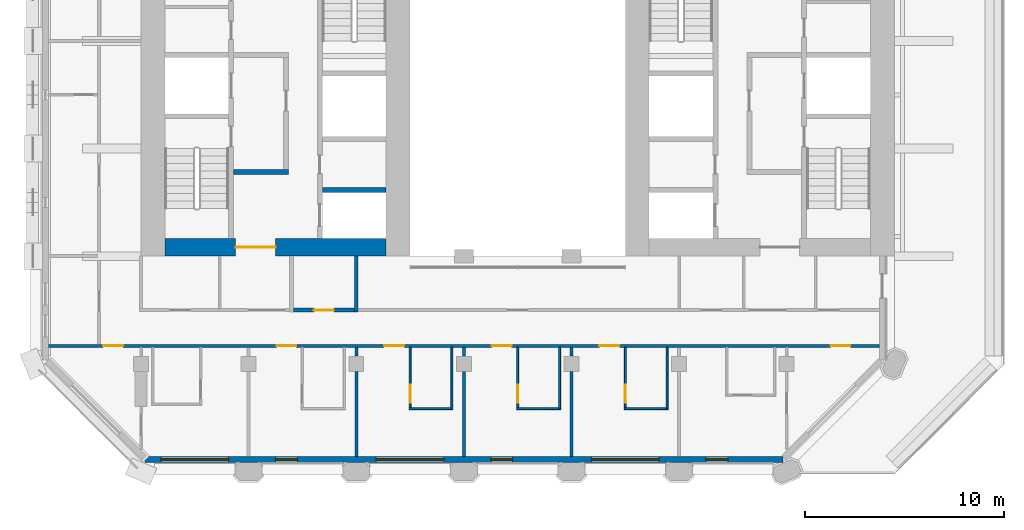
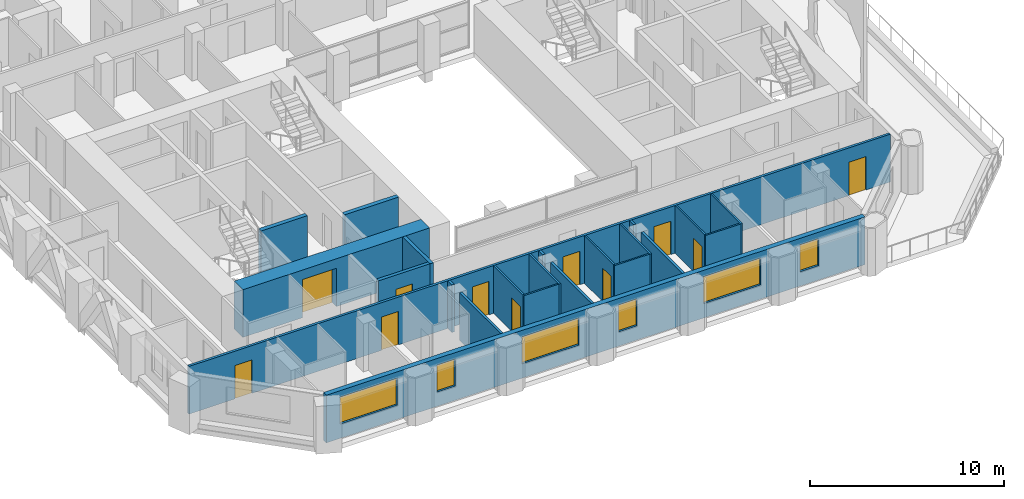
# One storey, part 7 of 15: 22 walls, 11 doors, 6 windows, 17 openings.
"""IFC4 building model written with IfcOpenShell, lengths in metres."""

from ifc_helpers import new_model, si_unit, direction, frame, frame_2d, origin, place, context, subcontext, project, spatial, rectangle, extrude, material, layer, layer_set, type_object, element, fill, save


model = new_model("IFC4")

# Units and contexts
model_context = context("Model", 3, precision=1e-05, world=origin(), true_north=direction((0.0, 1.0)))
body_context = subcontext(model_context, "Body", "Model", "MODEL_VIEW")
ifc_project = project(units=[si_unit("LENGTHUNIT", "METRE"), si_unit("AREAUNIT", "SQUARE_METRE"), si_unit("VOLUMEUNIT", "CUBIC_METRE"), si_unit("PLANEANGLEUNIT", "RADIAN"), si_unit("MASSUNIT", "GRAM", prefix="KILO")], contexts=[model_context])

# Site, building, storey
site_placement = place(None, origin())
site = spatial("IfcSite", under=ifc_project, at=site_placement, CompositionType="ELEMENT")
building_placement = place(site_placement, origin())
building = spatial("IfcBuilding", under=site, at=building_placement, Name="Tabaq Tower and Sports Hall", CompositionType="ELEMENT")
storey_placement = place(building_placement, frame((0.0, 0.0, 207.10009765625)))
storey = spatial("IfcBuildingStorey", under=building, at=storey_placement, Name="L51", CompositionType="ELEMENT", Elevation=207.10009765625)

# Wall, opening, door
ifc_material_1 = material(Name="Concrete C50/60", Category="concrete")
ifc_layer_1 = layer(ifc_material_1, 0.89990234375)
ifc_layer_set_1 = layer_set([ifc_layer_1], Name="Core wall 900 Concrete C50/60")
wall_type_1 = type_object("IfcWallType", Name="Core wall 900 Concrete C50/60", PredefinedType="SOLIDWALL", material=ifc_layer_set_1)
wall_1_placement = place(storey_placement, frame((17.699951171875, 16.64990234375, 0.0), z_axis=(0.0, 0.0, 1.0), x_axis=(-1.0, 0.0, 0.0)))
wall_1 = element("IfcWall", 1, at=wall_1_placement, inside=storey, type_object=wall_type_1, Name="Core wall W L51", PredefinedType="SOLIDWALL", context=body_context, shape_type="SweptSolid", body=[
    extrude(rectangle(XDim=11.099853515625, YDim=0.89990234375, at=frame_2d((5.5498046875, 0.0))), origin(), (0.0, 0.0, 1.0), 3.0),
])
opening_1_placement = place(wall_1_placement, frame((5.550048828125, 0.0, 0.0)))
opening_1 = element("IfcOpeningElement", 2, at=opening_1_placement, cuts=wall_1, Name="Opening PD-WL51-01", PredefinedType="OPENING", context=body_context, shape_type="SweptSolid", body=[
    extrude(rectangle(XDim=2.0, YDim=2.39990234375, at=frame_2d((1.0, 1.199951171875))), frame((0.0, 0.449951171875, 0.0), z_axis=(0.0, -1.0, 0.0), x_axis=(1.0, 0.0, 0.0)), (0.0, 0.0, 1.0), 0.89990234375),
])
ifc_material_2 = material(Name="Steel fire door", Category="steel")
door_type_1 = type_object("IfcDoorType", Name="Core entrance door 2000", OperationType="DOUBLE_DOOR_SINGLE_SWING", PredefinedType="DOOR", material=ifc_material_2)
door_1_placement = place(opening_1_placement, origin())
door_1 = element("IfcDoor", 3, at=door_1_placement, inside=storey, type_object=door_type_1, Name="Core entrance south W L51", OperationType="DOUBLE_DOOR_SINGLE_SWING", OverallHeight=2.39990234375, OverallWidth=2.0, PredefinedType="DOOR", context=body_context, shape_type="SweptSolid", body=[
    extrude(rectangle(XDim=2.0, YDim=2.39990234375, at=frame_2d((1.0, 1.199951171875))), frame((0.0, 0.02490234375, 0.0), z_axis=(0.0, -1.0, 0.0), x_axis=(1.0, 0.0, 0.0)), (0.0, 0.0, 1.0), 0.050048828125),
])
fill(opening_1, door_1)

# Wall
ifc_material_3 = material(Name="Blockwork", Category="masonry")
ifc_layer_2 = layer(ifc_material_3, 0.199951171875)
ifc_layer_set_2 = layer_set([ifc_layer_2], Name="Fire compartment wall 200 Blockwork")
wall_type_2 = type_object("IfcWallType", Name="Fire compartment wall 200 Blockwork", PredefinedType="PARTITIONING", material=ifc_layer_set_2)
wall_2_placement = place(storey_placement, frame((16.199951171875, 16.199951171875, 0.0), z_axis=(0.0, 0.0, 1.0), x_axis=(0.0, -1.0, 0.0)))
element("IfcWall", 4, at=wall_2_placement, inside=storey, type_object=wall_type_2, Name="Compartment wall L51", PredefinedType="PARTITIONING", context=body_context, shape_type="SweptSolid", body=[
    extrude(rectangle(XDim=2.800048828125, YDim=0.199951171875, at=frame_2d((1.39990234375, 0.0))), origin(), (0.0, 0.0, 1.0), 3.0),
])

# Wall, opening, door
wall_3_placement = place(storey_placement, frame((16.10009765625, 13.5, 0.0), z_axis=(0.0, 0.0, 1.0), x_axis=(-1.0, 0.0, 0.0)))
wall_3 = element("IfcWall", 5, at=wall_3_placement, inside=storey, type_object=wall_type_2, Name="Compartment wall L51", PredefinedType="PARTITIONING", context=body_context, shape_type="SweptSolid", body=[
    extrude(rectangle(XDim=3.050048828125, YDim=0.199951171875, at=frame_2d((1.52490234375, 0.0))), origin(), (0.0, 0.0, 1.0), 3.0),
])
opening_2_placement = place(wall_3_placement, frame((1.02490234375, 0.0, 0.0)))
opening_2 = element("IfcOpeningElement", 6, at=opening_2_placement, cuts=wall_3, Name="Opening L51-024", PredefinedType="OPENING", context=body_context, shape_type="SweptSolid", body=[
    extrude(rectangle(XDim=1.0, YDim=2.10009765625, at=frame_2d((0.5, 1.050048828125))), frame((0.0, 0.10009765625, 0.0), z_axis=(0.0, -1.0, 0.0), x_axis=(1.0, 0.0, 0.0)), (0.0, 0.0, 1.0), 0.199951171875),
])
ifc_material_4 = material(Name="Steel fire door", Category="steel")
door_type_2 = type_object("IfcDoorType", Name="Riser door 1000 right hand", OperationType="SINGLE_SWING_RIGHT", PredefinedType="DOOR", material=ifc_material_4)
door_2_placement = place(opening_2_placement, origin())
door_2 = element("IfcDoor", 7, at=door_2_placement, inside=storey, type_object=door_type_2, Name="Riser door L51-024", OperationType="SINGLE_SWING_RIGHT", OverallHeight=2.10009765625, OverallWidth=1.0, PredefinedType="DOOR", context=body_context, shape_type="SweptSolid", body=[
    extrude(rectangle(XDim=1.0, YDim=2.10009765625, at=frame_2d((0.5, 1.050048828125))), frame((0.0, 0.02490234375, 0.0), z_axis=(0.0, -1.0, 0.0), x_axis=(1.0, 0.0, 0.0)), (0.0, 0.0, 1.0), 0.050048828125),
])
fill(opening_2, door_2)

# Walls
ifc_material_5 = material(Name="Gypsum board on steel studs", Category="steel")
ifc_layer_3 = layer(ifc_material_5, 0.10009765625)
ifc_layer_set_3 = layer_set([ifc_layer_3], Name="Partition 100 Gypsum board")
wall_type_3 = type_object("IfcWallType", Name="Partition 100 Gypsum board", PredefinedType="PARTITIONING", material=ifc_layer_set_3)
wall_4_placement = place(storey_placement, frame((31.800048828125, 11.625, 0.0), z_axis=(0.0, 0.0, 1.0), x_axis=(0.0, -1.0, 0.0)))
element("IfcWall", 8, at=wall_4_placement, inside=storey, type_object=wall_type_3, Name="Partition wall L51", PredefinedType="PARTITIONING", context=body_context, shape_type="SweptSolid", body=[
    extrude(rectangle(XDim=3.125, YDim=0.10009765625, at=frame_2d((1.5625, 0.0))), origin(), (0.0, 0.0, 1.0), 3.0),
])
wall_5_placement = place(storey_placement, frame((31.75, 8.550048828125, 0.0), z_axis=(0.0, 0.0, 1.0), x_axis=(-1.0, 0.0, 0.0)))
element("IfcWall", 9, at=wall_5_placement, inside=storey, type_object=wall_type_3, Name="Partition wall L51", PredefinedType="PARTITIONING", context=body_context, shape_type="SweptSolid", body=[
    extrude(rectangle(XDim=2.10009765625, YDim=0.10009765625, at=frame_2d((1.050048828125, 0.0))), origin(), (0.0, 0.0, 1.0), 3.0),
])

# Wall, opening, door
wall_6_placement = place(storey_placement, frame((29.699951171875, 8.60009765625, 0.0), z_axis=(0.0, 0.0, 1.0), x_axis=(0.0, 1.0, 0.0)))
wall_6 = element("IfcWall", 10, at=wall_6_placement, inside=storey, type_object=wall_type_3, Name="Partition wall L51", PredefinedType="PARTITIONING", context=body_context, shape_type="SweptSolid", body=[
    extrude(rectangle(XDim=3.02490234375, YDim=0.10009765625, at=frame_2d((1.512451171875, 0.0))), origin(), (0.0, 0.0, 1.0), 3.0),
])
opening_3_placement = place(wall_6_placement, frame((0.25, 0.0, 0.0)))
opening_3 = element("IfcOpeningElement", 11, at=opening_3_placement, cuts=wall_6, Name="Opening L51-016", PredefinedType="OPENING", context=body_context, shape_type="SweptSolid", body=[
    extrude(rectangle(XDim=0.89990234375, YDim=2.10009765625, at=frame_2d((0.449951171875, 1.050048828125))), frame((0.0, 0.050048828125, 0.0), z_axis=(0.0, -1.0, 0.0), x_axis=(1.0, 0.0, 0.0)), (0.0, 0.0, 1.0), 0.10009765625),
])
ifc_material_6 = material(Name="Timber leaf in steel frame", Category="steel")
door_type_3 = type_object("IfcDoorType", Name="Internal door 900 right hand", OperationType="SINGLE_SWING_RIGHT", PredefinedType="DOOR", material=ifc_material_6)
door_3_placement = place(opening_3_placement, origin())
door_3 = element("IfcDoor", 12, at=door_3_placement, inside=storey, type_object=door_type_3, Name="Internal door L51-016", OperationType="SINGLE_SWING_RIGHT", OverallHeight=2.10009765625, OverallWidth=0.89990234375, PredefinedType="DOOR", context=body_context, shape_type="SweptSolid", body=[
    extrude(rectangle(XDim=0.89990234375, YDim=2.10009765625, at=frame_2d((0.449951171875, 1.050048828125))), frame((0.0, 0.02490234375, 0.0), z_axis=(0.0, -1.0, 0.0), x_axis=(1.0, 0.0, 0.0)), (0.0, 0.0, 1.0), 0.050048828125),
])
fill(opening_3, door_3)

# Walls
wall_7_placement = place(storey_placement, frame((26.39990234375, 11.625, 0.0), z_axis=(0.0, 0.0, 1.0), x_axis=(0.0, -1.0, 0.0)))
element("IfcWall", 13, at=wall_7_placement, inside=storey, type_object=wall_type_3, Name="Partition wall L51", PredefinedType="PARTITIONING", context=body_context, shape_type="SweptSolid", body=[
    extrude(rectangle(XDim=3.125, YDim=0.10009765625, at=frame_2d((1.5625, 0.0))), origin(), (0.0, 0.0, 1.0), 3.0),
])
wall_8_placement = place(storey_placement, frame((26.35009765625, 8.550048828125, 0.0), z_axis=(0.0, 0.0, 1.0), x_axis=(-1.0, 0.0, 0.0)))
element("IfcWall", 14, at=wall_8_placement, inside=storey, type_object=wall_type_3, Name="Partition wall L51", PredefinedType="PARTITIONING", context=body_context, shape_type="SweptSolid", body=[
    extrude(rectangle(XDim=2.10009765625, YDim=0.10009765625, at=frame_2d((1.050048828125, 0.0))), origin(), (0.0, 0.0, 1.0), 3.0),
])

# Wall, opening, door
wall_9_placement = place(storey_placement, frame((24.300048828125, 8.60009765625, 0.0), z_axis=(0.0, 0.0, 1.0), x_axis=(0.0, 1.0, 0.0)))
wall_9 = element("IfcWall", 15, at=wall_9_placement, inside=storey, type_object=wall_type_3, Name="Partition wall L51", PredefinedType="PARTITIONING", context=body_context, shape_type="SweptSolid", body=[
    extrude(rectangle(XDim=3.02490234375, YDim=0.10009765625, at=frame_2d((1.512451171875, 0.0))), origin(), (0.0, 0.0, 1.0), 3.0),
])
opening_4_placement = place(wall_9_placement, frame((0.25, 0.0, 0.0)))
opening_4 = element("IfcOpeningElement", 16, at=opening_4_placement, cuts=wall_9, Name="Opening L51-017", PredefinedType="OPENING", context=body_context, shape_type="SweptSolid", body=[
    extrude(rectangle(XDim=0.89990234375, YDim=2.10009765625, at=frame_2d((0.449951171875, 1.050048828125))), frame((0.0, 0.050048828125, 0.0), z_axis=(0.0, -1.0, 0.0), x_axis=(1.0, 0.0, 0.0)), (0.0, 0.0, 1.0), 0.10009765625),
])
ifc_material_7 = material(Name="Timber leaf in steel frame", Category="steel")
door_type_4 = type_object("IfcDoorType", Name="Internal door 900 left hand", OperationType="SINGLE_SWING_LEFT", PredefinedType="DOOR", material=ifc_material_7)
door_4_placement = place(opening_4_placement, origin())
door_4 = element("IfcDoor", 17, at=door_4_placement, inside=storey, type_object=door_type_4, Name="Internal door L51-017", OperationType="SINGLE_SWING_LEFT", OverallHeight=2.10009765625, OverallWidth=0.89990234375, PredefinedType="DOOR", context=body_context, shape_type="SweptSolid", body=[
    extrude(rectangle(XDim=0.89990234375, YDim=2.10009765625, at=frame_2d((0.449951171875, 1.050048828125))), frame((0.0, 0.02490234375, 0.0), z_axis=(0.0, -1.0, 0.0), x_axis=(1.0, 0.0, 0.0)), (0.0, 0.0, 1.0), 0.050048828125),
])
fill(opening_4, door_4)

# Walls
wall_10_placement = place(storey_placement, frame((21.0, 11.625, 0.0), z_axis=(0.0, 0.0, 1.0), x_axis=(0.0, -1.0, 0.0)))
element("IfcWall", 18, at=wall_10_placement, inside=storey, type_object=wall_type_3, Name="Partition wall L51", PredefinedType="PARTITIONING", context=body_context, shape_type="SweptSolid", body=[
    extrude(rectangle(XDim=3.125, YDim=0.10009765625, at=frame_2d((1.5625, 0.0))), origin(), (0.0, 0.0, 1.0), 3.0),
])
wall_11_placement = place(storey_placement, frame((20.949951171875, 8.550048828125, 0.0), z_axis=(0.0, 0.0, 1.0), x_axis=(-1.0, 0.0, 0.0)))
element("IfcWall", 19, at=wall_11_placement, inside=storey, type_object=wall_type_3, Name="Partition wall L51", PredefinedType="PARTITIONING", context=body_context, shape_type="SweptSolid", body=[
    extrude(rectangle(XDim=2.099853515625, YDim=0.10009765625, at=frame_2d((1.0498046875, 0.0))), origin(), (0.0, 0.0, 1.0), 3.0),
])

# Wall, opening, door
wall_12_placement = place(storey_placement, frame((18.89990234375, 8.60009765625, 0.0), z_axis=(0.0, 0.0, 1.0), x_axis=(0.0, 1.0, 0.0)))
wall_12 = element("IfcWall", 20, at=wall_12_placement, inside=storey, type_object=wall_type_3, Name="Partition wall L51", PredefinedType="PARTITIONING", context=body_context, shape_type="SweptSolid", body=[
    extrude(rectangle(XDim=3.02490234375, YDim=0.10009765625, at=frame_2d((1.512451171875, 0.0))), origin(), (0.0, 0.0, 1.0), 3.0),
])
opening_5_placement = place(wall_12_placement, frame((0.25, 0.0, 0.0)))
opening_5 = element("IfcOpeningElement", 21, at=opening_5_placement, cuts=wall_12, Name="Opening L51-018", PredefinedType="OPENING", context=body_context, shape_type="SweptSolid", body=[
    extrude(rectangle(XDim=0.89990234375, YDim=2.10009765625, at=frame_2d((0.449951171875, 1.050048828125))), frame((0.0, 0.050048828125, 0.0), z_axis=(0.0, -1.0, 0.0), x_axis=(1.0, 0.0, 0.0)), (0.0, 0.0, 1.0), 0.10009765625),
])
door_5_placement = place(opening_5_placement, origin())
door_5 = element("IfcDoor", 22, at=door_5_placement, inside=storey, type_object=door_type_4, Name="Internal door L51-018", OperationType="SINGLE_SWING_LEFT", OverallHeight=2.10009765625, OverallWidth=0.89990234375, PredefinedType="DOOR", context=body_context, shape_type="SweptSolid", body=[
    extrude(rectangle(XDim=0.89990234375, YDim=2.10009765625, at=frame_2d((0.449951171875, 1.050048828125))), frame((0.0, 0.02490234375, 0.0), z_axis=(0.0, -1.0, 0.0), x_axis=(1.0, 0.0, 0.0)), (0.0, 0.0, 1.0), 0.050048828125),
])
fill(opening_5, door_5)

# Walls
ifc_material_8 = material(Name="Blockwork", Category="masonry")
ifc_layer_4 = layer(ifc_material_8, 0.14990234375)
ifc_layer_set_4 = layer_set([ifc_layer_4], Name="Separating wall 150 Blockwork")
wall_type_4 = type_object("IfcWallType", Name="Separating wall 150 Blockwork", PredefinedType="PARTITIONING", material=ifc_layer_set_4)
wall_13_placement = place(storey_placement, frame((27.0, 11.625, 0.0), z_axis=(0.0, 0.0, 1.0), x_axis=(0.0, -1.0, 0.0)))
element("IfcWall", 23, at=wall_13_placement, inside=storey, type_object=wall_type_4, Name="Separating wall L51", PredefinedType="PARTITIONING", context=body_context, shape_type="SweptSolid", body=[
    extrude(rectangle(XDim=0.429931640625, YDim=0.14990234375, at=frame_2d((0.21484375, 0.0))), origin(), (0.0, 0.0, 1.0), 3.0),
])
wall_14_placement = place(storey_placement, frame((27.0, 10.405029296875, 0.0), z_axis=(0.0, 0.0, 1.0), x_axis=(0.0, -1.0, 0.0)))
element("IfcWall", 24, at=wall_14_placement, inside=storey, type_object=wall_type_4, Name="Separating wall L51", PredefinedType="PARTITIONING", context=body_context, shape_type="SweptSolid", body=[
    extrude(rectangle(XDim=4.254150390625, YDim=0.14990234375, at=frame_2d((2.126953125, 0.0))), origin(), (0.0, 0.0, 1.0), 3.0),
])
wall_15_placement = place(storey_placement, frame((21.60009765625, 11.625, 0.0), z_axis=(0.0, 0.0, 1.0), x_axis=(0.0, -1.0, 0.0)))
element("IfcWall", 25, at=wall_15_placement, inside=storey, type_object=wall_type_4, Name="Separating wall L51", PredefinedType="PARTITIONING", context=body_context, shape_type="SweptSolid", body=[
    extrude(rectangle(XDim=0.429931640625, YDim=0.14990234375, at=frame_2d((0.21484375, 0.0))), origin(), (0.0, 0.0, 1.0), 3.0),
])
wall_16_placement = place(storey_placement, frame((21.60009765625, 10.405029296875, 0.0), z_axis=(0.0, 0.0, 1.0), x_axis=(0.0, -1.0, 0.0)))
element("IfcWall", 26, at=wall_16_placement, inside=storey, type_object=wall_type_4, Name="Separating wall L51", PredefinedType="PARTITIONING", context=body_context, shape_type="SweptSolid", body=[
    extrude(rectangle(XDim=4.254150390625, YDim=0.14990234375, at=frame_2d((2.126953125, 0.0))), origin(), (0.0, 0.0, 1.0), 3.0),
])
wall_17_placement = place(storey_placement, frame((16.199951171875, 11.625, 0.0), z_axis=(0.0, 0.0, 1.0), x_axis=(0.0, -1.0, 0.0)))
element("IfcWall", 27, at=wall_17_placement, inside=storey, type_object=wall_type_4, Name="Separating wall L51", PredefinedType="PARTITIONING", context=body_context, shape_type="SweptSolid", body=[
    extrude(rectangle(XDim=0.429931640625, YDim=0.14990234375, at=frame_2d((0.21484375, 0.0))), origin(), (0.0, 0.0, 1.0), 3.0),
])
wall_18_placement = place(storey_placement, frame((16.199951171875, 10.405029296875, 0.0), z_axis=(0.0, 0.0, 1.0), x_axis=(0.0, -1.0, 0.0)))
element("IfcWall", 28, at=wall_18_placement, inside=storey, type_object=wall_type_4, Name="Separating wall L51", PredefinedType="PARTITIONING", context=body_context, shape_type="SweptSolid", body=[
    extrude(rectangle(XDim=4.254150390625, YDim=0.14990234375, at=frame_2d((2.126953125, 0.0))), origin(), (0.0, 0.0, 1.0), 3.0),
])

# Wall, openings, doors
wall_19_placement = place(storey_placement, frame((0.7509765625, 11.699951171875, 0.0), z_axis=(0.0, 0.0, 1.0), x_axis=(1.0, 0.0, 0.0)))
wall_19 = element("IfcWall", 29, at=wall_19_placement, inside=storey, type_object=wall_type_4, Name="Separating wall L51", PredefinedType="PARTITIONING", context=body_context, shape_type="SweptSolid", body=[
    extrude(rectangle(XDim=41.697998046875, YDim=0.14990234375, at=frame_2d((20.84912109375, 0.0))), origin(), (0.0, 0.0, 1.0), 3.0),
])
opening_6_placement = place(wall_19_placement, frame((27.64892578125, 0.0, 0.0)))
opening_6 = element("IfcOpeningElement", 30, at=opening_6_placement, cuts=wall_19, Name="Opening L51-038", PredefinedType="OPENING", context=body_context, shape_type="SweptSolid", body=[
    extrude(rectangle(XDim=1.0, YDim=2.10009765625, at=frame_2d((0.5, 1.050048828125))), frame((0.0, 0.074951171875, 0.0), z_axis=(0.0, -1.0, 0.0), x_axis=(1.0, 0.0, 0.0)), (0.0, 0.0, 1.0), 0.14990234375),
])
opening_7_placement = place(wall_19_placement, frame((22.2490234375, 0.0, 0.0)))
opening_7 = element("IfcOpeningElement", 31, at=opening_7_placement, cuts=wall_19, Name="Opening L51-039", PredefinedType="OPENING", context=body_context, shape_type="SweptSolid", body=[
    extrude(rectangle(XDim=1.0, YDim=2.10009765625, at=frame_2d((0.5, 1.050048828125))), frame((0.0, 0.074951171875, 0.0), z_axis=(0.0, -1.0, 0.0), x_axis=(1.0, 0.0, 0.0)), (0.0, 0.0, 1.0), 0.14990234375),
])
opening_8_placement = place(wall_19_placement, frame((16.84912109375, 0.0, 0.0)))
opening_8 = element("IfcOpeningElement", 32, at=opening_8_placement, cuts=wall_19, Name="Opening L51-040", PredefinedType="OPENING", context=body_context, shape_type="SweptSolid", body=[
    extrude(rectangle(XDim=1.0, YDim=2.10009765625, at=frame_2d((0.5, 1.050048828125))), frame((0.0, 0.074951171875, 0.0), z_axis=(0.0, -1.0, 0.0), x_axis=(1.0, 0.0, 0.0)), (0.0, 0.0, 1.0), 0.14990234375),
])
opening_9_placement = place(wall_19_placement, frame((11.448974609375, 0.0, 0.0)))
opening_9 = element("IfcOpeningElement", 33, at=opening_9_placement, cuts=wall_19, Name="Opening L51-041", PredefinedType="OPENING", context=body_context, shape_type="SweptSolid", body=[
    extrude(rectangle(XDim=1.0, YDim=2.10009765625, at=frame_2d((0.5, 1.050048828125))), frame((0.0, 0.074951171875, 0.0), z_axis=(0.0, -1.0, 0.0), x_axis=(1.0, 0.0, 0.0)), (0.0, 0.0, 1.0), 0.14990234375),
])
opening_10_placement = place(wall_19_placement, frame((2.743896484375, 0.0, 0.0)))
opening_10 = element("IfcOpeningElement", 34, at=opening_10_placement, cuts=wall_19, Name="Opening L51-043", PredefinedType="OPENING", context=body_context, shape_type="SweptSolid", body=[
    extrude(rectangle(XDim=1.0, YDim=2.10009765625, at=frame_2d((0.5, 1.050048828125))), frame((0.0, 0.074951171875, 0.0), z_axis=(0.0, -1.0, 0.0), x_axis=(1.0, 0.0, 0.0)), (0.0, 0.0, 1.0), 0.14990234375),
])
opening_11_placement = place(wall_19_placement, frame((39.2490234375, 0.0, 0.0)))
opening_11 = element("IfcOpeningElement", 35, at=opening_11_placement, cuts=wall_19, Name="Opening L51-048", PredefinedType="OPENING", context=body_context, shape_type="SweptSolid", body=[
    extrude(rectangle(XDim=1.0, YDim=2.10009765625, at=frame_2d((0.5, 1.050048828125))), frame((0.0, 0.074951171875, 0.0), z_axis=(0.0, -1.0, 0.0), x_axis=(1.0, 0.0, 0.0)), (0.0, 0.0, 1.0), 0.14990234375),
])
ifc_material_9 = material(Name="Steel fire door", Category="steel")
door_type_5 = type_object("IfcDoorType", Name="Entrance door 1000 left hand", OperationType="SINGLE_SWING_LEFT", PredefinedType="DOOR", material=ifc_material_9)
door_6_placement = place(opening_6_placement, origin())
door_6 = element("IfcDoor", 36, at=door_6_placement, inside=storey, type_object=door_type_5, Name="Entrance door L51-038", OperationType="SINGLE_SWING_LEFT", OverallHeight=2.10009765625, OverallWidth=1.0, PredefinedType="DOOR", context=body_context, shape_type="SweptSolid", body=[
    extrude(rectangle(XDim=1.0, YDim=2.10009765625, at=frame_2d((0.5, 1.050048828125))), frame((0.0, 0.02490234375, 0.0), z_axis=(0.0, -1.0, 0.0), x_axis=(1.0, 0.0, 0.0)), (0.0, 0.0, 1.0), 0.050048828125),
])
fill(opening_6, door_6)
door_7_placement = place(opening_7_placement, origin())
door_7 = element("IfcDoor", 37, at=door_7_placement, inside=storey, type_object=door_type_5, Name="Entrance door L51-039", OperationType="SINGLE_SWING_LEFT", OverallHeight=2.10009765625, OverallWidth=1.0, PredefinedType="DOOR", context=body_context, shape_type="SweptSolid", body=[
    extrude(rectangle(XDim=1.0, YDim=2.10009765625, at=frame_2d((0.5, 1.050048828125))), frame((0.0, 0.02490234375, 0.0), z_axis=(0.0, -1.0, 0.0), x_axis=(1.0, 0.0, 0.0)), (0.0, 0.0, 1.0), 0.050048828125),
])
fill(opening_7, door_7)
door_8_placement = place(opening_11_placement, origin())
door_8 = element("IfcDoor", 38, at=door_8_placement, inside=storey, type_object=door_type_5, Name="Entrance door L51-048", OperationType="SINGLE_SWING_LEFT", OverallHeight=2.10009765625, OverallWidth=1.0, PredefinedType="DOOR", context=body_context, shape_type="SweptSolid", body=[
    extrude(rectangle(XDim=1.0, YDim=2.10009765625, at=frame_2d((0.5, 1.050048828125))), frame((0.0, 0.02490234375, 0.0), z_axis=(0.0, -1.0, 0.0), x_axis=(1.0, 0.0, 0.0)), (0.0, 0.0, 1.0), 0.050048828125),
])
fill(opening_11, door_8)
ifc_material_10 = material(Name="Steel fire door", Category="steel")
door_type_6 = type_object("IfcDoorType", Name="Entrance door 1000 right hand", OperationType="SINGLE_SWING_RIGHT", PredefinedType="DOOR", material=ifc_material_10)
door_9_placement = place(opening_8_placement, origin())
door_9 = element("IfcDoor", 39, at=door_9_placement, inside=storey, type_object=door_type_6, Name="Entrance door L51-040", OperationType="SINGLE_SWING_RIGHT", OverallHeight=2.10009765625, OverallWidth=1.0, PredefinedType="DOOR", context=body_context, shape_type="SweptSolid", body=[
    extrude(rectangle(XDim=1.0, YDim=2.10009765625, at=frame_2d((0.5, 1.050048828125))), frame((0.0, 0.02490234375, 0.0), z_axis=(0.0, -1.0, 0.0), x_axis=(1.0, 0.0, 0.0)), (0.0, 0.0, 1.0), 0.050048828125),
])
fill(opening_8, door_9)
door_10_placement = place(opening_9_placement, origin())
door_10 = element("IfcDoor", 40, at=door_10_placement, inside=storey, type_object=door_type_6, Name="Entrance door L51-041", OperationType="SINGLE_SWING_RIGHT", OverallHeight=2.10009765625, OverallWidth=1.0, PredefinedType="DOOR", context=body_context, shape_type="SweptSolid", body=[
    extrude(rectangle(XDim=1.0, YDim=2.10009765625, at=frame_2d((0.5, 1.050048828125))), frame((0.0, 0.02490234375, 0.0), z_axis=(0.0, -1.0, 0.0), x_axis=(1.0, 0.0, 0.0)), (0.0, 0.0, 1.0), 0.050048828125),
])
fill(opening_9, door_10)
door_11_placement = place(opening_10_placement, origin())
door_11 = element("IfcDoor", 41, at=door_11_placement, inside=storey, type_object=door_type_6, Name="Entrance door L51-043", OperationType="SINGLE_SWING_RIGHT", OverallHeight=2.10009765625, OverallWidth=1.0, PredefinedType="DOOR", context=body_context, shape_type="SweptSolid", body=[
    extrude(rectangle(XDim=1.0, YDim=2.10009765625, at=frame_2d((0.5, 1.050048828125))), frame((0.0, 0.02490234375, 0.0), z_axis=(0.0, -1.0, 0.0), x_axis=(1.0, 0.0, 0.0)), (0.0, 0.0, 1.0), 0.050048828125),
])
fill(opening_10, door_11)

# Walls
ifc_material_11 = material(Name="Concrete C40/50", Category="concrete")
ifc_layer_5 = layer(ifc_material_11, 0.25)
ifc_layer_set_5 = layer_set([ifc_layer_5], Name="Shaft and stair wall 250 Concrete C40/50")
wall_type_5 = type_object("IfcWallType", Name="Shaft and stair wall 250 Concrete C40/50", PredefinedType="SOLIDWALL", material=ifc_layer_set_5)
wall_20_placement = place(storey_placement, frame((10.050048828125, 20.425048828125, 0.0), z_axis=(0.0, 0.0, 1.0), x_axis=(1.0, 0.0, 0.0)))
element("IfcWall", 42, at=wall_20_placement, inside=storey, type_object=wall_type_5, Name="Fire-fighting lobby wall W L51", PredefinedType="SOLIDWALL", context=body_context, shape_type="SweptSolid", body=[
    extrude(rectangle(XDim=2.75, YDim=0.25, at=frame_2d((1.375, 0.0))), origin(), (0.0, 0.0, 1.0), 3.0),
])
wall_21_placement = place(storey_placement, frame((14.5, 19.52490234375, 0.0), z_axis=(0.0, 0.0, 1.0), x_axis=(1.0, 0.0, 0.0)))
element("IfcWall", 43, at=wall_21_placement, inside=storey, type_object=wall_type_5, Name="Shaft wall W L51", PredefinedType="SOLIDWALL", context=body_context, shape_type="SweptSolid", body=[
    extrude(rectangle(XDim=3.199951171875, YDim=0.25, at=frame_2d((1.60009765625, 0.0))), origin(), (0.0, 0.0, 1.0), 3.0),
])

# Wall, openings, windows
ifc_material_12 = material(Name="White precast concrete C60/75", Category="concrete")
ifc_layer_6 = layer(ifc_material_12, 0.300048828125)
ifc_layer_set_6 = layer_set([ifc_layer_6], Name="White precast concrete C60/75 external wall 300")
wall_type_6 = type_object("IfcWallType", Name="White precast concrete C60/75 external wall 300", PredefinedType="SOLIDWALL", material=ifc_layer_set_6)
wall_22_placement = place(storey_placement, frame((5.58642578125, 6.0, 0.0), z_axis=(0.0, 0.0, 1.0), x_axis=(1.0, 0.0, 0.0)))
wall_22 = element("IfcWall", 44, at=wall_22_placement, inside=storey, type_object=wall_type_6, Name="External Wall L51 S", PredefinedType="SOLIDWALL", context=body_context, shape_type="SweptSolid", body=[
    extrude(rectangle(XDim=32.027099609375, YDim=0.300048828125, at=frame_2d((16.013671875, 0.0))), origin(), (0.0, 0.0, 1.0), 3.0),
])
opening_12_placement = place(wall_22_placement, frame((0.813720703125, 0.0, 0.89990234375)))
opening_12 = element("IfcOpeningElement", 45, at=opening_12_placement, cuts=wall_22, Name="Opening W1A", PredefinedType="OPENING", context=body_context, shape_type="SweptSolid", body=[
    extrude(rectangle(XDim=3.39990234375, YDim=1.699951171875, at=frame_2d((1.699951171875, 0.85009765625))), frame((0.0, 0.16015625, 0.0), z_axis=(0.0, -1.0, 0.0), x_axis=(1.0, 0.0, 0.0)), (0.0, 0.0, 1.0), 0.320068359375),
])
opening_13_placement = place(wall_22_placement, frame((6.563720703125, 0.0, 0.89990234375)))
opening_13 = element("IfcOpeningElement", 46, at=opening_13_placement, cuts=wall_22, Name="Opening W1B", PredefinedType="OPENING", context=body_context, shape_type="SweptSolid", body=[
    extrude(rectangle(XDim=1.10009765625, YDim=1.699951171875, at=frame_2d((0.550048828125, 0.85009765625))), frame((0.0, 0.16015625, 0.0), z_axis=(0.0, -1.0, 0.0), x_axis=(1.0, 0.0, 0.0)), (0.0, 0.0, 1.0), 0.320068359375),
])
opening_14_placement = place(wall_22_placement, frame((11.613525390625, 0.0, 0.89990234375)))
opening_14 = element("IfcOpeningElement", 47, at=opening_14_placement, cuts=wall_22, Name="Opening W1A", PredefinedType="OPENING", context=body_context, shape_type="SweptSolid", body=[
    extrude(rectangle(XDim=3.39990234375, YDim=1.699951171875, at=frame_2d((1.699951171875, 0.85009765625))), frame((0.0, 0.16015625, 0.0), z_axis=(0.0, -1.0, 0.0), x_axis=(1.0, 0.0, 0.0)), (0.0, 0.0, 1.0), 0.320068359375),
])
opening_15_placement = place(wall_22_placement, frame((17.363525390625, 0.0, 0.89990234375)))
opening_15 = element("IfcOpeningElement", 48, at=opening_15_placement, cuts=wall_22, Name="Opening W1B", PredefinedType="OPENING", context=body_context, shape_type="SweptSolid", body=[
    extrude(rectangle(XDim=1.10009765625, YDim=1.699951171875, at=frame_2d((0.550048828125, 0.85009765625))), frame((0.0, 0.16015625, 0.0), z_axis=(0.0, -1.0, 0.0), x_axis=(1.0, 0.0, 0.0)), (0.0, 0.0, 1.0), 0.320068359375),
])
opening_16_placement = place(wall_22_placement, frame((22.41357421875, 0.0, 0.89990234375)))
opening_16 = element("IfcOpeningElement", 49, at=opening_16_placement, cuts=wall_22, Name="Opening W1A", PredefinedType="OPENING", context=body_context, shape_type="SweptSolid", body=[
    extrude(rectangle(XDim=3.39990234375, YDim=1.699951171875, at=frame_2d((1.699951171875, 0.85009765625))), frame((0.0, 0.16015625, 0.0), z_axis=(0.0, -1.0, 0.0), x_axis=(1.0, 0.0, 0.0)), (0.0, 0.0, 1.0), 0.320068359375),
])
opening_17_placement = place(wall_22_placement, frame((28.16357421875, 0.0, 0.89990234375)))
opening_17 = element("IfcOpeningElement", 50, at=opening_17_placement, cuts=wall_22, Name="Opening W1B", PredefinedType="OPENING", context=body_context, shape_type="SweptSolid", body=[
    extrude(rectangle(XDim=1.10009765625, YDim=1.699951171875, at=frame_2d((0.550048828125, 0.85009765625))), frame((0.0, 0.16015625, 0.0), z_axis=(0.0, -1.0, 0.0), x_axis=(1.0, 0.0, 0.0)), (0.0, 0.0, 1.0), 0.320068359375),
])
ifc_material_13 = material(Name="Aluminium framed clear glazing", Category="aluminium")
window_type_1 = type_object("IfcWindowType", Name="Window W1A", PartitioningType="SINGLE_PANEL", PredefinedType="WINDOW", material=ifc_material_13)
window_1_placement = place(opening_12_placement, origin())
window_1 = element("IfcWindow", 51, at=window_1_placement, inside=storey, type_object=window_type_1, Name="Window W1A L51", OverallHeight=1.699951171875, OverallWidth=3.39990234375, PartitioningType="SINGLE_PANEL", PredefinedType="WINDOW", context=body_context, shape_type="SweptSolid", body=[
    extrude(rectangle(XDim=3.39990234375, YDim=1.699951171875, at=frame_2d((1.699951171875, 0.85009765625))), frame((0.0, 0.030029296875, 0.0), z_axis=(0.0, -1.0, 0.0), x_axis=(1.0, 0.0, 0.0)), (0.0, 0.0, 1.0), 0.06005859375),
])
fill(opening_12, window_1)
window_2_placement = place(opening_14_placement, origin())
window_2 = element("IfcWindow", 52, at=window_2_placement, inside=storey, type_object=window_type_1, Name="Window W1A L51", OverallHeight=1.699951171875, OverallWidth=3.39990234375, PartitioningType="SINGLE_PANEL", PredefinedType="WINDOW", context=body_context, shape_type="SweptSolid", body=[
    extrude(rectangle(XDim=3.39990234375, YDim=1.699951171875, at=frame_2d((1.699951171875, 0.85009765625))), frame((0.0, 0.030029296875, 0.0), z_axis=(0.0, -1.0, 0.0), x_axis=(1.0, 0.0, 0.0)), (0.0, 0.0, 1.0), 0.06005859375),
])
fill(opening_14, window_2)
window_3_placement = place(opening_16_placement, origin())
window_3 = element("IfcWindow", 53, at=window_3_placement, inside=storey, type_object=window_type_1, Name="Window W1A L51", OverallHeight=1.699951171875, OverallWidth=3.39990234375, PartitioningType="SINGLE_PANEL", PredefinedType="WINDOW", context=body_context, shape_type="SweptSolid", body=[
    extrude(rectangle(XDim=3.39990234375, YDim=1.699951171875, at=frame_2d((1.699951171875, 0.85009765625))), frame((0.0, 0.030029296875, 0.0), z_axis=(0.0, -1.0, 0.0), x_axis=(1.0, 0.0, 0.0)), (0.0, 0.0, 1.0), 0.06005859375),
])
fill(opening_16, window_3)
ifc_material_14 = material(Name="Aluminium framed clear glazing", Category="aluminium")
window_type_2 = type_object("IfcWindowType", Name="Window W1B", PartitioningType="SINGLE_PANEL", PredefinedType="WINDOW", material=ifc_material_14)
window_4_placement = place(opening_13_placement, origin())
window_4 = element("IfcWindow", 54, at=window_4_placement, inside=storey, type_object=window_type_2, Name="Window W1B L51", OverallHeight=1.699951171875, OverallWidth=1.10009765625, PartitioningType="SINGLE_PANEL", PredefinedType="WINDOW", context=body_context, shape_type="SweptSolid", body=[
    extrude(rectangle(XDim=1.10009765625, YDim=1.699951171875, at=frame_2d((0.550048828125, 0.85009765625))), frame((0.0, 0.030029296875, 0.0), z_axis=(0.0, -1.0, 0.0), x_axis=(1.0, 0.0, 0.0)), (0.0, 0.0, 1.0), 0.06005859375),
])
fill(opening_13, window_4)
window_5_placement = place(opening_15_placement, origin())
window_5 = element("IfcWindow", 55, at=window_5_placement, inside=storey, type_object=window_type_2, Name="Window W1B L51", OverallHeight=1.699951171875, OverallWidth=1.10009765625, PartitioningType="SINGLE_PANEL", PredefinedType="WINDOW", context=body_context, shape_type="SweptSolid", body=[
    extrude(rectangle(XDim=1.10009765625, YDim=1.699951171875, at=frame_2d((0.550048828125, 0.85009765625))), frame((0.0, 0.030029296875, 0.0), z_axis=(0.0, -1.0, 0.0), x_axis=(1.0, 0.0, 0.0)), (0.0, 0.0, 1.0), 0.06005859375),
])
fill(opening_15, window_5)
window_6_placement = place(opening_17_placement, origin())
window_6 = element("IfcWindow", 56, at=window_6_placement, inside=storey, type_object=window_type_2, Name="Window W1B L51", OverallHeight=1.699951171875, OverallWidth=1.10009765625, PartitioningType="SINGLE_PANEL", PredefinedType="WINDOW", context=body_context, shape_type="SweptSolid", body=[
    extrude(rectangle(XDim=1.10009765625, YDim=1.699951171875, at=frame_2d((0.550048828125, 0.85009765625))), frame((0.0, 0.030029296875, 0.0), z_axis=(0.0, -1.0, 0.0), x_axis=(1.0, 0.0, 0.0)), (0.0, 0.0, 1.0), 0.06005859375),
])
fill(opening_17, window_6)

save(model, "model.ifc")
